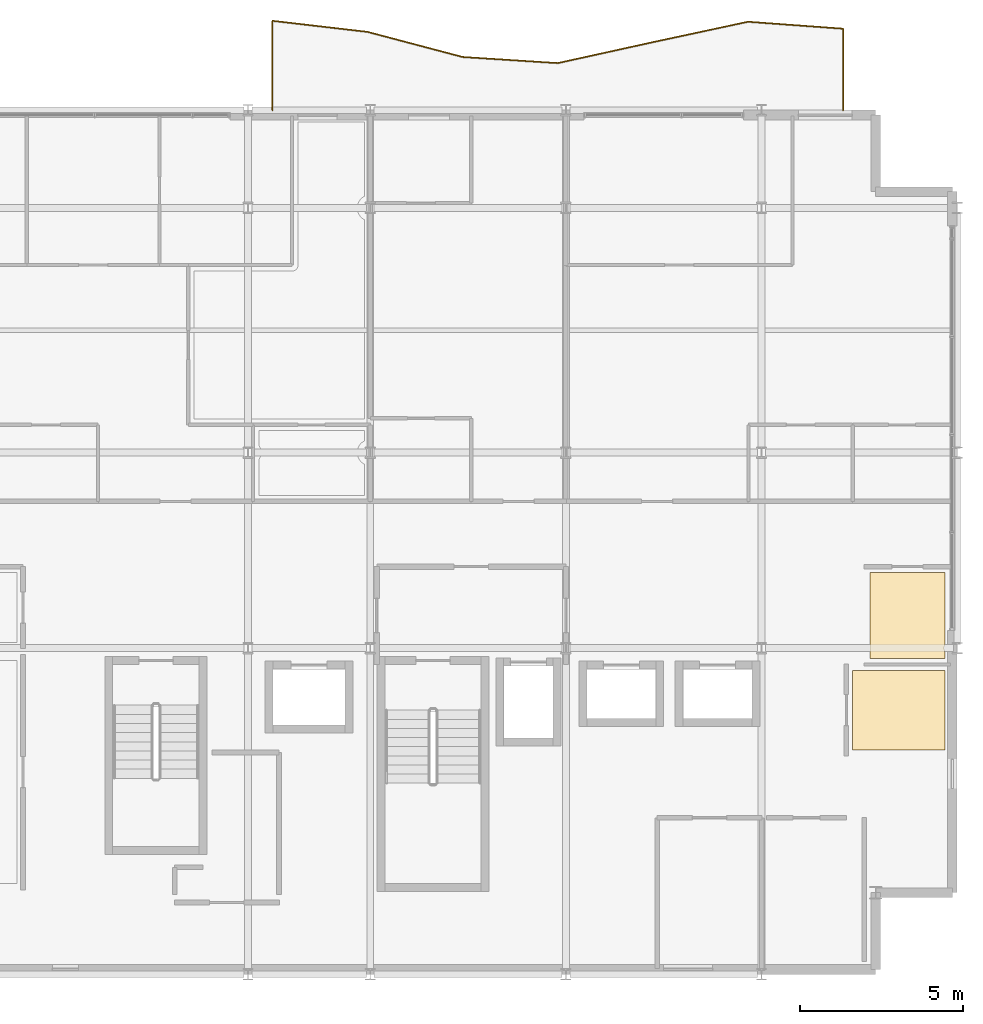
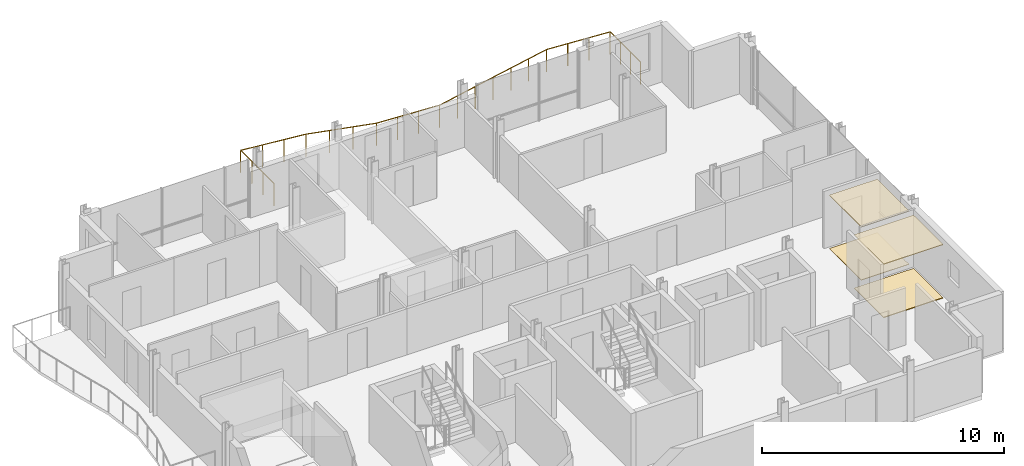
# One storey, part 12 of 12: 4 coverings, 1 railing.
"""IFC4 building model written with IfcOpenShell, lengths in metres."""

from ifc_helpers import new_model, si_unit, direction, frame, origin, origin_2d, place, context, subcontext, project, spatial, polyline, circle, outline, extrude, material, layer, layer_set, type_object, element, save


model = new_model("IFC4")

# Units and contexts
model_context = context("Model", 3, precision=1e-05, world=origin(), true_north=direction((0.0, 1.0)))
body_context = subcontext(model_context, "Body", "Model", "MODEL_VIEW")
ifc_project = project(units=[si_unit("LENGTHUNIT", "METRE"), si_unit("AREAUNIT", "SQUARE_METRE"), si_unit("VOLUMEUNIT", "CUBIC_METRE"), si_unit("PLANEANGLEUNIT", "RADIAN"), si_unit("MASSUNIT", "GRAM", prefix="KILO")], contexts=[model_context])

# Site, building, storey
site_placement = place(None, origin())
site = spatial("IfcSite", under=ifc_project, at=site_placement, CompositionType="ELEMENT")
building_placement = place(site_placement, origin())
building = spatial("IfcBuilding", under=site, at=building_placement, Name="Brevholm Reach", CompositionType="ELEMENT")
storey_placement = place(building_placement, frame((0.0, 0.0, 227.300048828125)))
storey = spatial("IfcBuildingStorey", under=building, at=storey_placement, Name="L69", CompositionType="ELEMENT", Elevation=227.300048828125)

# Coverings
ifc_material_1 = material(Name="Perforated Mineral-Fibre Class-A Acoustic Suspended Ceiling", Category="gypsum")
ifc_layer_1 = layer(ifc_material_1, 0.044921875)
ifc_layer_set_1 = layer_set([ifc_layer_1], Name="Perforated Mineral-Fibre Class-A Acoustic Suspended Ceiling")
covering_type_1 = type_object("IfcCoveringType", Name="COV-CLG-AC", PredefinedType="CEILING", material=ifc_layer_set_1)
covering_1_placement = place(storey_placement, frame((0.0, 0.0, 2.675048828125)))
element("IfcCovering", 1, at=covering_1_placement, inside=storey, type_object=covering_type_1, Name="L69 Suspended Ceiling L69-21", PredefinedType="CEILING", context=body_context, shape_type="SweptSolid", body=[
    extrude(outline(polyline([(57.330078125, 12.31591796875), (59.6201171875, 12.31591796875), (59.6201171875, 10.123779296875), (59.6171875, 10.1162109375), (59.607666015625, 10.077880859375), (59.601806640625, 10.039306640625), (59.60009765625, 10.0), (59.601806640625, 9.960693359375), (59.607666015625, 9.922119140625), (59.6171875, 9.8837890625), (59.6201171875, 9.876220703125), (59.6201171875, 9.68408203125), (57.330078125, 9.68408203125), (57.330078125, 12.31591796875)])), origin(), (0.0, 0.0, 1.0), 0.044921875),
])
ifc_material_2 = material(Name="Moisture-Resistant Skimmed Gypsum Plasterboard Ceiling", Category="gypsum")
ifc_layer_2 = layer(ifc_material_2, 0.030029296875)
ifc_layer_set_2 = layer_set([ifc_layer_2], Name="Moisture-Resistant Skimmed Gypsum Plasterboard Ceiling")
covering_type_2 = type_object("IfcCoveringType", Name="COV-CLG-GYP", PredefinedType="CEILING", material=ifc_layer_set_2)
covering_2_placement = place(storey_placement, frame((0.0, 0.0, 2.68994140625)))
element("IfcCovering", 2, at=covering_2_placement, inside=storey, type_object=covering_type_2, Name="L69 Suspended Ceiling L69-19", PredefinedType="CEILING", context=body_context, shape_type="SweptSolid", body=[
    extrude(outline(polyline([(59.6201171875, 9.320068359375), (59.6201171875, 6.8798828125), (56.783935546875, 6.8798828125), (56.783935546875, 9.320068359375), (59.6201171875, 9.320068359375)])), origin(), (0.0, 0.0, 1.0), 0.030029296875),
])
ifc_material_3 = material(Name="Engineered European Oak Acoustic Plank Flooring", Category="timber")
ifc_layer_3 = layer(ifc_material_3, 0.02197265625)
ifc_layer_set_3 = layer_set([ifc_layer_3], Name="Engineered European Oak Acoustic Plank Flooring")
covering_type_3 = type_object("IfcCoveringType", Name="COV-FLR-OAK", PredefinedType="FLOORING", material=ifc_layer_set_3)
covering_3_placement = place(storey_placement, origin())
element("IfcCovering", 3, at=covering_3_placement, inside=storey, type_object=covering_type_3, Name="L69 Floor Finish L69-21", PredefinedType="FLOORING", context=body_context, shape_type="SweptSolid", body=[
    extrude(outline(polyline([(57.330078125, 12.31591796875), (59.6201171875, 12.31591796875), (59.6201171875, 10.123779296875), (59.6171875, 10.1162109375), (59.607666015625, 10.077880859375), (59.601806640625, 10.039306640625), (59.60009765625, 10.0), (59.601806640625, 9.960693359375), (59.607666015625, 9.922119140625), (59.6171875, 9.8837890625), (59.6201171875, 9.876220703125), (59.6201171875, 9.68408203125), (57.330078125, 9.68408203125), (57.330078125, 12.31591796875)])), origin(), (0.0, 0.0, 1.0), 0.02197265625),
])
ifc_material_4 = material(Name="Honed Portland-Aggregate Resin Terrazzo Flooring", Category="concrete")
ifc_layer_4 = layer(ifc_material_4, 0.031982421875)
ifc_layer_set_4 = layer_set([ifc_layer_4], Name="Honed Portland-Aggregate Resin Terrazzo Flooring")
covering_type_4 = type_object("IfcCoveringType", Name="COV-FLR-TRZ", PredefinedType="FLOORING", material=ifc_layer_set_4)
covering_4_placement = place(storey_placement, origin())
element("IfcCovering", 4, at=covering_4_placement, inside=storey, type_object=covering_type_4, Name="L69 Floor Finish L69-19", PredefinedType="FLOORING", context=body_context, shape_type="SweptSolid", body=[
    extrude(outline(polyline([(59.6201171875, 9.320068359375), (59.6201171875, 6.8798828125), (56.783935546875, 6.8798828125), (56.783935546875, 9.320068359375), (59.6201171875, 9.320068359375)])), origin(), (0.0, 0.0, 1.0), 0.031982421875),
])

# Railing
ifc_material_5 = material(Name="Brushed Stainless Steel EN 1.4401 and Laminated Glass", Category="steel")
railing_type = type_object("IfcRailingType", Name="RAL-BALC-1150", PredefinedType="BALUSTRADE", material=ifc_material_5)
railing_placement = place(storey_placement, frame((56.5, 26.5, 0.0)))
element("IfcRailing", 5, at=railing_placement, inside=storey, type_object=railing_type, Name="L69 Guard Balustrade RAL-L69-BAL-NE", PredefinedType="BALUSTRADE", context=body_context, shape_type="SweptSolid", body=[
    extrude(circle(Radius=0.02392578125, at=origin_2d()), frame((0.0, 0.0, 1.1259765625), z_axis=(0.0, 1.0, 0.0), x_axis=(-1.0, 0.0, 0.0)), (0.0, 0.0, 1.0), 2.499755859375),
    extrude(circle(Radius=0.02392578125, at=origin_2d()), frame((0.0, 2.499755859375, 1.1259765625), z_axis=(-0.997334760815, 0.072961461535, 0.0), x_axis=(-0.072961461535, -0.997334760815, 0.0)), (0.0, 0.0, 1.0), 2.924560546875),
    extrude(circle(Radius=0.02392578125, at=origin_2d()), frame((-2.916748046875, 2.713134765625, 1.1259765625), z_axis=(-0.977716094956, -0.209931507079, 0.0), x_axis=(0.209931507079, -0.977716094956, 0.0)), (0.0, 0.0, 1.0), 2.98291015625),
    extrude(circle(Radius=0.02392578125, at=origin_2d()), frame((-5.833251953125, 2.0869140625, 1.1259765625), z_axis=(-0.976615982801, -0.214991214093, 0.0), x_axis=(0.214991214093, -0.976615982801, 0.0)), (0.0, 0.0, 1.0), 2.986572265625),
    extrude(circle(Radius=0.02392578125, at=origin_2d()), frame((-8.75, 1.44482421875, 1.1259765625), z_axis=(-0.997945514781, 0.06406831923, 0.0), x_axis=(-0.06406831923, -0.997945514781, 0.0)), (0.0, 0.0, 1.0), 2.9228515625),
    extrude(circle(Radius=0.02392578125, at=origin_2d()), frame((-11.666748046875, 1.632080078125, 1.1259765625), z_axis=(-0.966868735292, 0.255274065889, 0.0), x_axis=(-0.255274065889, -0.966868735292, 0.0)), (0.0, 0.0, 1.0), 3.016357421875),
    extrude(circle(Radius=0.02392578125, at=origin_2d()), frame((-14.583251953125, 2.402099609375, 1.1259765625), z_axis=(-0.99329006652, 0.11564965954, 0.0), x_axis=(-0.11564965954, -0.99329006652, 0.0)), (0.0, 0.0, 1.0), 2.9365234375),
    extrude(circle(Radius=0.02392578125, at=origin_2d()), frame((-17.5, 2.74169921875, 1.1259765625), z_axis=(0.0, -1.0, 0.0), x_axis=(1.0, 0.0, 0.0)), (0.0, 0.0, 1.0), 2.74169921875),
    extrude(circle(Radius=0.02099609375, at=origin_2d()), origin(), (0.0, 0.0, 1.0), 1.101806640625),
    extrude(circle(Radius=0.02099609375, at=origin_2d()), frame((0.0, 0.833251953125, 0.0)), (0.0, 0.0, 1.0), 1.101806640625),
    extrude(circle(Radius=0.02099609375, at=origin_2d()), frame((0.0, 1.66650390625, 0.0)), (0.0, 0.0, 1.0), 1.101806640625),
    extrude(circle(Radius=0.02099609375, at=origin_2d()), frame((0.0, 2.499755859375, 0.0)), (0.0, 0.0, 1.0), 1.101806640625),
    extrude(circle(Radius=0.02099609375, at=origin_2d()), frame((-0.97216796875, 2.57080078125, 0.0)), (0.0, 0.0, 1.0), 1.101806640625),
    extrude(circle(Radius=0.02099609375, at=origin_2d()), frame((-1.944580078125, 2.64208984375, 0.0)), (0.0, 0.0, 1.0), 1.101806640625),
    extrude(circle(Radius=0.02099609375, at=origin_2d()), frame((-2.916748046875, 2.713134765625, 0.0)), (0.0, 0.0, 1.0), 1.101806640625),
    extrude(circle(Radius=0.02099609375, at=origin_2d()), frame((-3.888916015625, 2.50439453125, 0.0)), (0.0, 0.0, 1.0), 1.101806640625),
    extrude(circle(Radius=0.02099609375, at=origin_2d()), frame((-4.861083984375, 2.295654296875, 0.0)), (0.0, 0.0, 1.0), 1.101806640625),
    extrude(circle(Radius=0.02099609375, at=origin_2d()), frame((-5.833251953125, 2.0869140625, 0.0)), (0.0, 0.0, 1.0), 1.101806640625),
    extrude(circle(Radius=0.02099609375, at=origin_2d()), frame((-6.805419921875, 1.872802734375, 0.0)), (0.0, 0.0, 1.0), 1.101806640625),
    extrude(circle(Radius=0.02099609375, at=origin_2d()), frame((-7.77783203125, 1.658935546875, 0.0)), (0.0, 0.0, 1.0), 1.101806640625),
    extrude(circle(Radius=0.02099609375, at=origin_2d()), frame((-8.75, 1.44482421875, 0.0)), (0.0, 0.0, 1.0), 1.101806640625),
    extrude(circle(Radius=0.02099609375, at=origin_2d()), frame((-9.72216796875, 1.50732421875, 0.0)), (0.0, 0.0, 1.0), 1.101806640625),
    extrude(circle(Radius=0.02099609375, at=origin_2d()), frame((-10.694580078125, 1.569580078125, 0.0)), (0.0, 0.0, 1.0), 1.101806640625),
    extrude(circle(Radius=0.02099609375, at=origin_2d()), frame((-11.666748046875, 1.632080078125, 0.0)), (0.0, 0.0, 1.0), 1.101806640625),
    extrude(circle(Radius=0.02099609375, at=origin_2d()), frame((-12.638916015625, 1.888671875, 0.0)), (0.0, 0.0, 1.0), 1.101806640625),
    extrude(circle(Radius=0.02099609375, at=origin_2d()), frame((-13.611083984375, 2.1455078125, 0.0)), (0.0, 0.0, 1.0), 1.101806640625),
    extrude(circle(Radius=0.02099609375, at=origin_2d()), frame((-14.583251953125, 2.402099609375, 0.0)), (0.0, 0.0, 1.0), 1.101806640625),
    extrude(circle(Radius=0.02099609375, at=origin_2d()), frame((-15.555419921875, 2.515380859375, 0.0)), (0.0, 0.0, 1.0), 1.101806640625),
    extrude(circle(Radius=0.02099609375, at=origin_2d()), frame((-16.52783203125, 2.62841796875, 0.0)), (0.0, 0.0, 1.0), 1.101806640625),
    extrude(circle(Radius=0.02099609375, at=origin_2d()), frame((-17.5, 2.74169921875, 0.0)), (0.0, 0.0, 1.0), 1.101806640625),
    extrude(circle(Radius=0.02099609375, at=origin_2d()), frame((-17.5, 1.827880859375, 0.0)), (0.0, 0.0, 1.0), 1.101806640625),
    extrude(circle(Radius=0.02099609375, at=origin_2d()), frame((-17.5, 0.913818359375, 0.0)), (0.0, 0.0, 1.0), 1.101806640625),
    extrude(circle(Radius=0.02099609375, at=origin_2d()), frame((-17.5, 0.0, 0.0)), (0.0, 0.0, 1.0), 1.101806640625),
])

save(model, "model.ifc")
